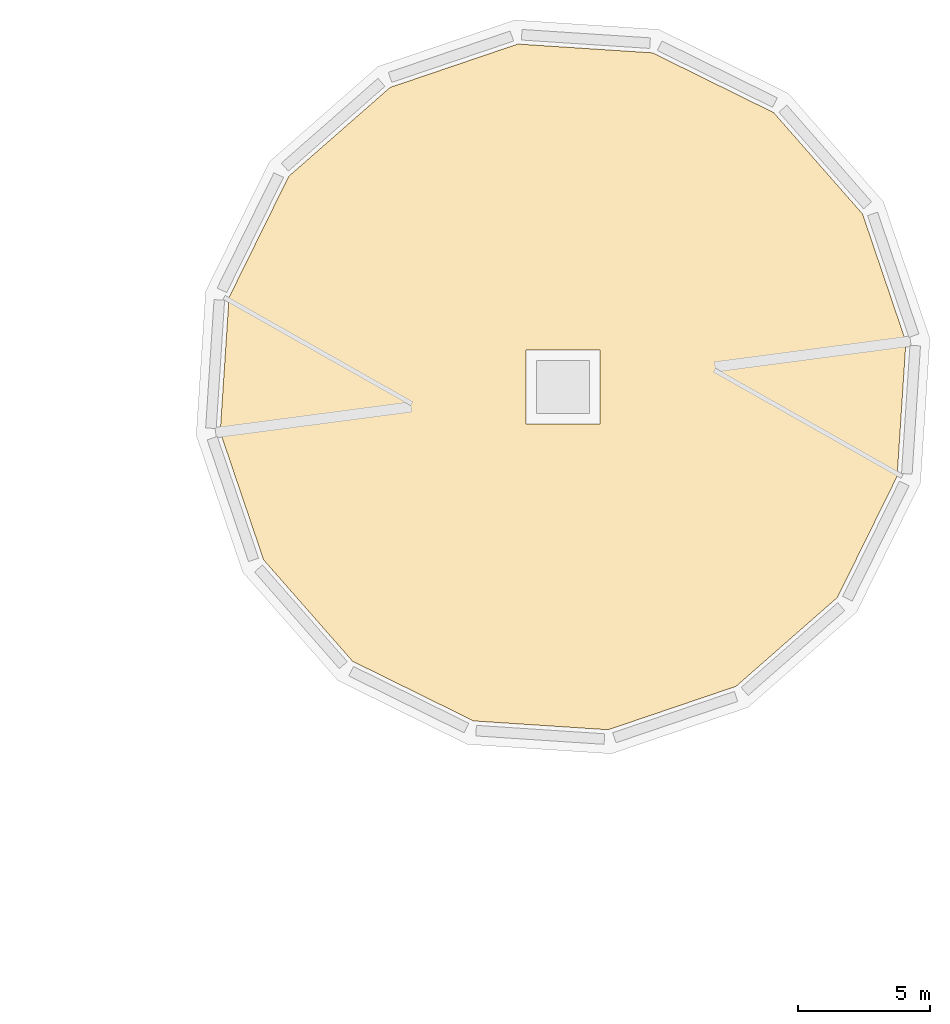
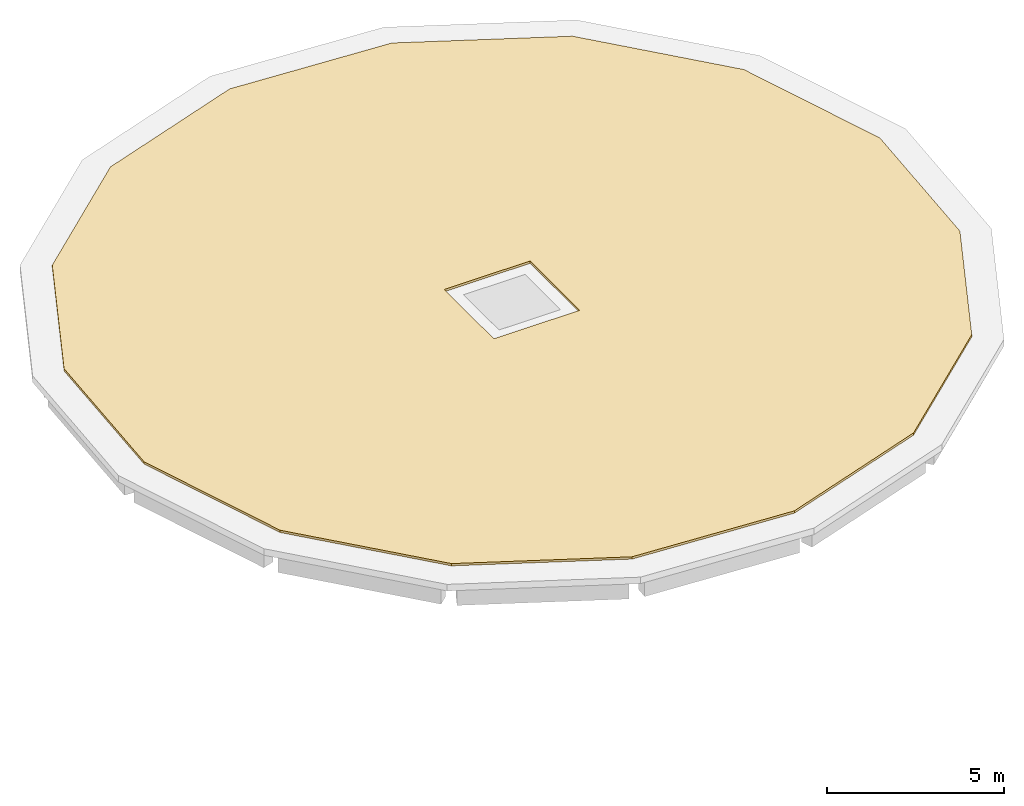
# One storey, part 2 of 2: 1 covering.
"""IFC4 building model written with IfcOpenShell, lengths in metres."""

from ifc_helpers import new_model, si_unit, direction, frame, origin, place, context, subcontext, project, spatial, polyline, outline, extrude, material, layer, layer_set, type_object, element, save


model = new_model("IFC4")

# Units and contexts
model_context = context("Model", 3, precision=1e-05, world=origin(), true_north=direction((0.0, 1.0)))
body_context = subcontext(model_context, "Body", "Model", "MODEL_VIEW")
ifc_project = project(units=[si_unit("LENGTHUNIT", "METRE"), si_unit("AREAUNIT", "SQUARE_METRE"), si_unit("VOLUMEUNIT", "CUBIC_METRE"), si_unit("PLANEANGLEUNIT", "RADIAN"), si_unit("MASSUNIT", "GRAM", prefix="KILO")], contexts=[model_context])

# Site, building, storey
site_placement = place(None, origin())
site = spatial("IfcSite", under=ifc_project, at=site_placement, CompositionType="ELEMENT")
building_placement = place(site_placement, origin())
building = spatial("IfcBuilding", under=site, at=building_placement, Name="Wrenclough Park School", CompositionType="ELEMENT")
storey_placement = place(building_placement, frame((0.0, 0.0, 24.800048828125)))
storey = spatial("IfcBuildingStorey", under=building, at=storey_placement, Name="RF", CompositionType="ELEMENT", Elevation=24.800048828125)

# Covering
ifc_material = material(Name="Standing-seam zinc-aluminium acoustic insulated roofing", Category="aluminium")
ifc_layer = layer(ifc_material, 0.080078125)
ifc_layer_set = layer_set([ifc_layer], Name="Standing-seam zinc-aluminium acoustic insulated roofing")
covering_type = type_object("IfcCoveringType", Name="ENV-COV-ROOF", PredefinedType="ROOFING", material=ifc_layer_set)
covering_placement = place(storey_placement, origin())
element("IfcCovering", 1, at=covering_placement, inside=storey, type_object=covering_type, Name="Cylindrical drum roof covering COV-RF-D5", PredefinedType="ROOFING", context=body_context, shape_type="SweptSolid", body=[
    extrude(outline(polyline([(187.13671875, 90.114013671875), (187.470458984375, 95.20751953125), (185.82958984375, 100.041259765625), (182.464111328125, 103.87890625), (177.885986328125, 106.13671875), (172.79248046875, 106.470458984375), (167.958740234375, 104.82958984375), (164.12109375, 101.464111328125), (161.86328125, 96.885986328125), (161.529541015625, 91.79248046875), (163.17041015625, 86.958740234375), (166.535888671875, 83.12109375), (171.114013671875, 80.86328125), (176.20751953125, 80.529541015625), (181.041259765625, 82.17041015625), (184.87890625, 85.535888671875), (187.13671875, 90.114013671875)]), holes=[polyline([(175.89990234375, 94.89990234375), (173.10009765625, 94.89990234375), (173.10009765625, 92.10009765625), (175.89990234375, 92.10009765625), (175.89990234375, 94.89990234375)])]), origin(), (0.0, 0.0, 1.0), 0.079833984375),
])

save(model, "model.ifc")
